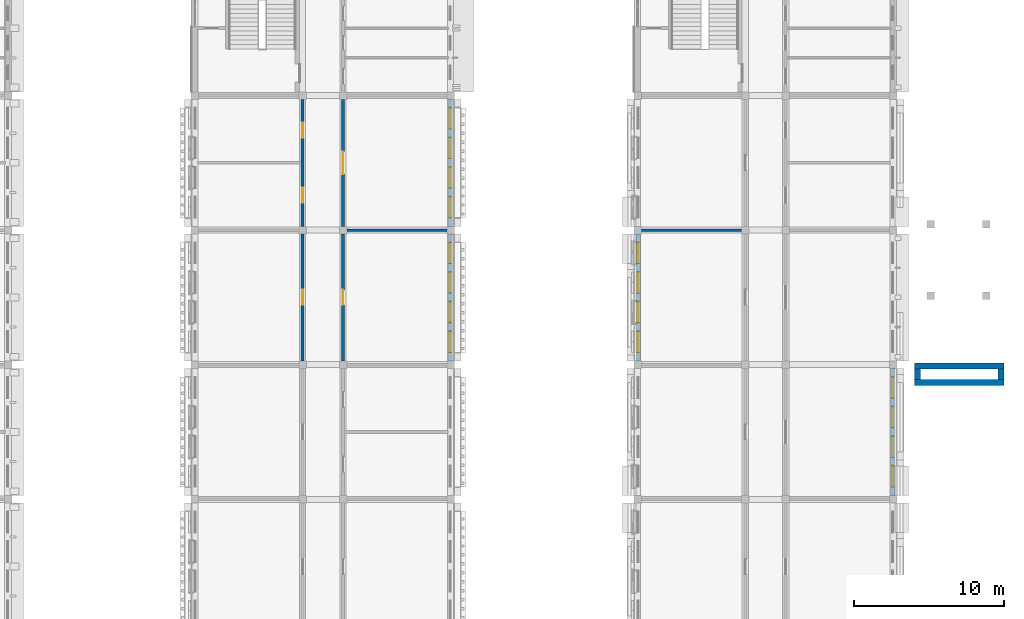
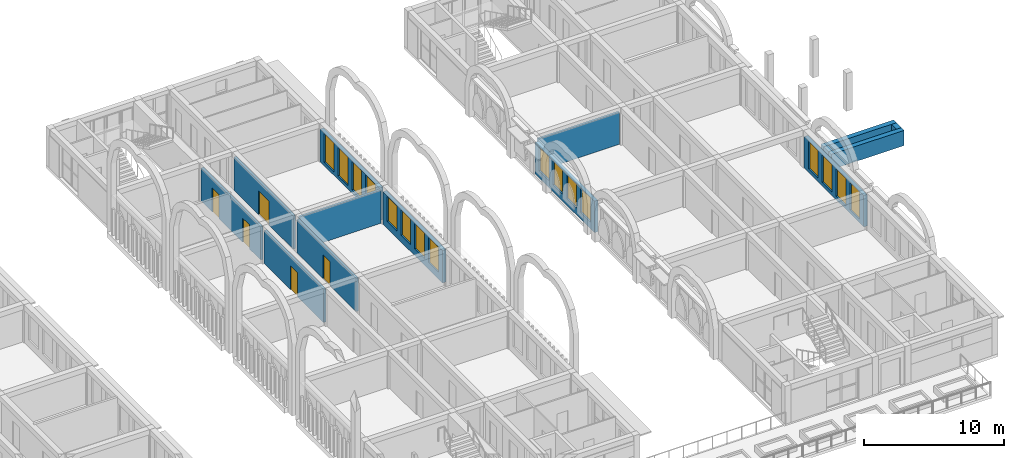
# One storey, part 57 of 82: 16 windows, 14 walls, 5 doors, 21 openings.
"""IFC4 building model written with IfcOpenShell, lengths in metres."""

from ifc_helpers import new_model, si_unit, direction, frame, frame_2d, origin, place, context, subcontext, project, spatial, rectangle, extrude, material, layer, layer_set, type_object, element, fill, save


model = new_model("IFC4")

# Units and contexts
model_context = context("Model", 3, precision=1e-05, world=origin(), true_north=direction((0.0, 1.0)))
body_context = subcontext(model_context, "Body", "Model", "MODEL_VIEW")
ifc_project = project(units=[si_unit("LENGTHUNIT", "METRE"), si_unit("AREAUNIT", "SQUARE_METRE"), si_unit("VOLUMEUNIT", "CUBIC_METRE"), si_unit("PLANEANGLEUNIT", "RADIAN"), si_unit("MASSUNIT", "GRAM", prefix="KILO")], contexts=[model_context])

# Site, building, storey
site_placement = place(None, origin())
site = spatial("IfcSite", under=ifc_project, at=site_placement, CompositionType="ELEMENT")
building_placement = place(site_placement, origin())
building = spatial("IfcBuilding", under=site, at=building_placement, Name="Elbe Cascade School", CompositionType="ELEMENT")
storey_placement = place(building_placement, frame((0.0, 0.0, 4.5)))
storey = spatial("IfcBuildingStorey", under=building, at=storey_placement, Name="L01", CompositionType="ELEMENT", Elevation=4.5)

# Walls
ifc_material_1 = material(Name="Masonry - lime-sand block, plastered", Category="masonry")
ifc_layer_1 = layer(ifc_material_1, 0.175048828125)
ifc_layer_set_1 = layer_set([ifc_layer_1], Name="Masonry - lime-sand block, plastered")
wall_type_1 = type_object("IfcWallType", Name="Bar classroom partition wall lime-sand block 175", PredefinedType="PARTITIONING", material=ifc_layer_set_1)
wall_1_placement = place(storey_placement, frame((138.35009765625, 42.0, 0.0), z_axis=(0.0, 0.0, 1.0), x_axis=(1.0, 0.0, 0.0)))
element("IfcWall", 1, at=wall_1_placement, inside=storey, type_object=wall_type_1, Name="Bar classroom partition wall lime-sand block 175", PredefinedType="PARTITIONING", context=body_context, shape_type="SweptSolid", body=[
    extrude(rectangle(XDim=6.699951171875, YDim=0.175048828125, at=frame_2d((3.35009765625, 0.0))), origin(), (0.0, 0.0, 1.0), 2.89990234375),
])
wall_2_placement = place(storey_placement, frame((158.050048828125, 42.0, 0.0), z_axis=(0.0, 0.0, 1.0), x_axis=(1.0, 0.0, 0.0)))
element("IfcWall", 2, at=wall_2_placement, inside=storey, type_object=wall_type_1, Name="Bar classroom partition wall lime-sand block 175", PredefinedType="PARTITIONING", context=body_context, shape_type="SweptSolid", body=[
    extrude(rectangle(XDim=6.699951171875, YDim=0.175048828125, at=frame_2d((3.35009765625, 0.0))), origin(), (0.0, 0.0, 1.0), 2.800048828125),
])

# Wall, opening, door
ifc_material_2 = material(Name="Masonry - lime-sand block, plastered", Category="masonry")
ifc_layer_2 = layer(ifc_material_2, 0.199951171875)
ifc_layer_set_2 = layer_set([ifc_layer_2], Name="Masonry - lime-sand block, plastered")
wall_type_2 = type_object("IfcWallType", Name="Bar corridor wall lime-sand block 200 EI 30", PredefinedType="PARTITIONING", material=ifc_layer_set_2)
wall_3_placement = place(storey_placement, frame((135.39990234375, 33.25, 0.0), z_axis=(0.0, 0.0, 1.0), x_axis=(0.0, 1.0, 0.0)))
wall_3 = element("IfcWall", 3, at=wall_3_placement, inside=storey, type_object=wall_type_2, Name="Bar corridor wall lime-sand block 200 EI 30", PredefinedType="PARTITIONING", context=body_context, shape_type="SweptSolid", body=[
    extrude(rectangle(XDim=8.5, YDim=0.199951171875, at=frame_2d((4.25, 0.0))), origin(), (0.0, 0.0, 1.0), 2.89990234375),
])
opening_1_placement = place(wall_3_placement, frame((3.75, 0.0, 0.0)))
opening_1 = element("IfcOpeningElement", 4, at=opening_1_placement, cuts=wall_3, Name="Opening D1.071", PredefinedType="OPENING", context=body_context, shape_type="SweptSolid", body=[
    extrude(rectangle(XDim=1.0, YDim=2.10009765625, at=frame_2d((0.5, 1.050048828125))), frame((0.0, 0.10986328125, 0.0), z_axis=(0.0, -1.0, 0.0), x_axis=(1.0, 0.0, 0.0)), (0.0, 0.0, 1.0), 0.219970703125),
])
ifc_material_3 = material(Name="Timber door leaf, fire-resisting, steel frame", Category="steel")
door_type_1 = type_object("IfcDoorType", Name="Bar door FD30 1000x2100", OperationType="NOTDEFINED", PredefinedType="DOOR", material=ifc_material_3)
door_1_placement = place(opening_1_placement, origin())
door_1 = element("IfcDoor", 5, at=door_1_placement, inside=storey, type_object=door_type_1, Name="Door C1.21", OperationType="SINGLE_SWING_RIGHT", OverallHeight=2.10009765625, OverallWidth=1.0, PredefinedType="DOOR", context=body_context, shape_type="SweptSolid", body=[
    extrude(rectangle(XDim=1.0, YDim=2.10009765625, at=frame_2d((0.5, 1.050048828125))), frame((0.0, 0.02490234375, 0.0), z_axis=(0.0, -1.0, 0.0), x_axis=(1.0, 0.0, 0.0)), (0.0, 0.0, 1.0), 0.050048828125),
])
fill(opening_1, door_1)

# Wall, openings, doors
wall_4_placement = place(storey_placement, frame((135.39990234375, 42.25, 0.0), z_axis=(0.0, 0.0, 1.0), x_axis=(0.0, 1.0, 0.0)))
wall_4 = element("IfcWall", 6, at=wall_4_placement, inside=storey, type_object=wall_type_2, Name="Bar corridor wall lime-sand block 200 EI 30", PredefinedType="PARTITIONING", context=body_context, shape_type="SweptSolid", body=[
    extrude(rectangle(XDim=8.5, YDim=0.199951171875, at=frame_2d((4.25, 0.0))), origin(), (0.0, 0.0, 1.0), 2.89990234375),
])
opening_2_placement = place(wall_4_placement, frame((1.581298828125, 0.0, 0.0)))
opening_2 = element("IfcOpeningElement", 7, at=opening_2_placement, cuts=wall_4, Name="Opening D1.073", PredefinedType="OPENING", context=body_context, shape_type="SweptSolid", body=[
    extrude(rectangle(XDim=1.0, YDim=2.10009765625, at=frame_2d((0.5, 1.050048828125))), frame((0.0, 0.10986328125, 0.0), z_axis=(0.0, -1.0, 0.0), x_axis=(1.0, 0.0, 0.0)), (0.0, 0.0, 1.0), 0.219970703125),
])
opening_3_placement = place(wall_4_placement, frame((5.918701171875, 0.0, 0.0)))
opening_3 = element("IfcOpeningElement", 8, at=opening_3_placement, cuts=wall_4, Name="Opening D1.075", PredefinedType="OPENING", context=body_context, shape_type="SweptSolid", body=[
    extrude(rectangle(XDim=1.0, YDim=2.10009765625, at=frame_2d((0.5, 1.050048828125))), frame((0.0, 0.10986328125, 0.0), z_axis=(0.0, -1.0, 0.0), x_axis=(1.0, 0.0, 0.0)), (0.0, 0.0, 1.0), 0.219970703125),
])
door_2_placement = place(opening_2_placement, origin())
door_2 = element("IfcDoor", 9, at=door_2_placement, inside=storey, type_object=door_type_1, Name="Door C1.22", OperationType="SINGLE_SWING_LEFT", OverallHeight=2.10009765625, OverallWidth=1.0, PredefinedType="DOOR", context=body_context, shape_type="SweptSolid", body=[
    extrude(rectangle(XDim=1.0, YDim=2.10009765625, at=frame_2d((0.5, 1.050048828125))), frame((0.0, 0.02490234375, 0.0), z_axis=(0.0, -1.0, 0.0), x_axis=(1.0, 0.0, 0.0)), (0.0, 0.0, 1.0), 0.050048828125),
])
fill(opening_2, door_2)
door_3_placement = place(opening_3_placement, origin())
door_3 = element("IfcDoor", 10, at=door_3_placement, inside=storey, type_object=door_type_1, Name="Door C1.23", OperationType="SINGLE_SWING_RIGHT", OverallHeight=2.10009765625, OverallWidth=1.0, PredefinedType="DOOR", context=body_context, shape_type="SweptSolid", body=[
    extrude(rectangle(XDim=1.0, YDim=2.10009765625, at=frame_2d((0.5, 1.050048828125))), frame((0.0, 0.02490234375, 0.0), z_axis=(0.0, -1.0, 0.0), x_axis=(1.0, 0.0, 0.0)), (0.0, 0.0, 1.0), 0.050048828125),
])
fill(opening_3, door_3)

# Wall, opening, door
wall_5_placement = place(storey_placement, frame((138.10009765625, 41.75, 0.0), z_axis=(0.0, 0.0, 1.0), x_axis=(0.0, -1.0, 0.0)))
wall_5 = element("IfcWall", 11, at=wall_5_placement, inside=storey, type_object=wall_type_2, Name="Bar corridor wall lime-sand block 200 EI 30", PredefinedType="PARTITIONING", context=body_context, shape_type="SweptSolid", body=[
    extrude(rectangle(XDim=8.5, YDim=0.199951171875, at=frame_2d((4.25, 0.0))), origin(), (0.0, 0.0, 1.0), 2.89990234375),
])
opening_4_placement = place(wall_5_placement, frame((3.75, 0.0, 0.0)))
opening_4 = element("IfcOpeningElement", 12, at=opening_4_placement, cuts=wall_5, Name="Opening D1.072", PredefinedType="OPENING", context=body_context, shape_type="SweptSolid", body=[
    extrude(rectangle(XDim=1.0, YDim=2.10009765625, at=frame_2d((0.5, 1.050048828125))), frame((0.0, 0.10986328125, 0.0), z_axis=(0.0, -1.0, 0.0), x_axis=(1.0, 0.0, 0.0)), (0.0, 0.0, 1.0), 0.219970703125),
])
door_4_placement = place(opening_4_placement, origin())
door_4 = element("IfcDoor", 13, at=door_4_placement, inside=storey, type_object=door_type_1, Name="Door C1.27", OperationType="SINGLE_SWING_RIGHT", OverallHeight=2.10009765625, OverallWidth=1.0, PredefinedType="DOOR", context=body_context, shape_type="SweptSolid", body=[
    extrude(rectangle(XDim=1.0, YDim=2.10009765625, at=frame_2d((0.5, 1.050048828125))), frame((0.0, 0.02490234375, 0.0), z_axis=(0.0, -1.0, 0.0), x_axis=(1.0, 0.0, 0.0)), (0.0, 0.0, 1.0), 0.050048828125),
])
fill(opening_4, door_4)

wall_6_placement = place(storey_placement, frame((138.10009765625, 50.75, 0.0), z_axis=(0.0, 0.0, 1.0), x_axis=(0.0, -1.0, 0.0)))
wall_6 = element("IfcWall", 14, at=wall_6_placement, inside=storey, type_object=wall_type_2, Name="Bar corridor wall lime-sand block 200 EI 30", PredefinedType="PARTITIONING", context=body_context, shape_type="SweptSolid", body=[
    extrude(rectangle(XDim=8.5, YDim=0.199951171875, at=frame_2d((4.25, 0.0))), origin(), (0.0, 0.0, 1.0), 2.89990234375),
])
opening_5_placement = place(wall_6_placement, frame((3.5, 0.0, 0.0)))
opening_5 = element("IfcOpeningElement", 15, at=opening_5_placement, cuts=wall_6, Name="Opening D1.074", PredefinedType="OPENING", context=body_context, shape_type="SweptSolid", body=[
    extrude(rectangle(XDim=1.5, YDim=2.10009765625, at=frame_2d((0.75, 1.050048828125))), frame((0.0, 0.10986328125, 0.0), z_axis=(0.0, -1.0, 0.0), x_axis=(1.0, 0.0, 0.0)), (0.0, 0.0, 1.0), 0.219970703125),
])
ifc_material_4 = material(Name="Timber door leaves, fire-resisting, steel frame", Category="steel")
door_type_2 = type_object("IfcDoorType", Name="Bar door FD30 1500x2100", OperationType="NOTDEFINED", PredefinedType="DOOR", material=ifc_material_4)
door_5_placement = place(opening_5_placement, origin())
door_5 = element("IfcDoor", 16, at=door_5_placement, inside=storey, type_object=door_type_2, Name="Door C1.28", OperationType="DOUBLE_DOOR_SINGLE_SWING", OverallHeight=2.10009765625, OverallWidth=1.5, PredefinedType="DOOR", context=body_context, shape_type="SweptSolid", body=[
    extrude(rectangle(XDim=1.5, YDim=2.10009765625, at=frame_2d((0.75, 1.050048828125))), frame((0.0, 0.02490234375, 0.0), z_axis=(0.0, -1.0, 0.0), x_axis=(1.0, 0.0, 0.0)), (0.0, 0.0, 1.0), 0.050048828125),
])
fill(opening_5, door_5)

# Wall, openings, windows
ifc_material_5 = material(Name="Brick masonry - red clinker, cavity wall with render backing", Category="masonry")
ifc_layer_3 = layer(ifc_material_5, 0.300048828125)
ifc_layer_set_3 = layer_set([ifc_layer_3], Name="Brick masonry - red clinker, cavity wall with render backing")
wall_type_3 = type_object("IfcWallType", Name="Bars envelope External wall - clinker brick cavity, 300 upper floors", PredefinedType="STANDARD", material=ifc_layer_set_3)
wall_7_placement = place(storey_placement, frame((145.27001953125, 41.75, 0.0), z_axis=(0.0, 0.0, 1.0), x_axis=(0.0, -1.0, 0.0)))
wall_7 = element("IfcWall", 17, at=wall_7_placement, inside=storey, type_object=wall_type_3, Name="External wall W30 C.L01.e4", PredefinedType="STANDARD", context=body_context, shape_type="SweptSolid", body=[
    extrude(rectangle(XDim=8.5, YDim=0.300048828125, at=frame_2d((4.25, 0.0))), origin(), (0.0, 0.0, 1.0), 2.85009765625),
])
opening_6_placement = place(wall_7_placement, frame((6.52001953125, 0.0, 0.60009765625)))
opening_6 = element("IfcOpeningElement", 18, at=opening_6_placement, cuts=wall_7, Name="Opening W1.083", PredefinedType="OPENING", context=body_context, shape_type="SweptSolid", body=[
    extrude(rectangle(XDim=1.39990234375, YDim=2.199951171875, at=frame_2d((0.699951171875, 1.10009765625))), frame((0.0, 0.159912109375, 0.0), z_axis=(0.0, -1.0, 0.0), x_axis=(1.0, 0.0, 0.0)), (0.0, 0.0, 1.0), 0.320068359375),
])
opening_7_placement = place(wall_7_placement, frame((4.5400390625, 0.0, 0.60009765625)))
opening_7 = element("IfcOpeningElement", 19, at=opening_7_placement, cuts=wall_7, Name="Opening W1.085", PredefinedType="OPENING", context=body_context, shape_type="SweptSolid", body=[
    extrude(rectangle(XDim=1.39990234375, YDim=2.199951171875, at=frame_2d((0.699951171875, 1.10009765625))), frame((0.0, 0.159912109375, 0.0), z_axis=(0.0, -1.0, 0.0), x_axis=(1.0, 0.0, 0.0)), (0.0, 0.0, 1.0), 0.320068359375),
])
opening_8_placement = place(wall_7_placement, frame((2.56005859375, 0.0, 0.60009765625)))
opening_8 = element("IfcOpeningElement", 20, at=opening_8_placement, cuts=wall_7, Name="Opening W1.087", PredefinedType="OPENING", context=body_context, shape_type="SweptSolid", body=[
    extrude(rectangle(XDim=1.39990234375, YDim=2.199951171875, at=frame_2d((0.699951171875, 1.10009765625))), frame((0.0, 0.159912109375, 0.0), z_axis=(0.0, -1.0, 0.0), x_axis=(1.0, 0.0, 0.0)), (0.0, 0.0, 1.0), 0.320068359375),
])
opening_9_placement = place(wall_7_placement, frame((0.580078125, 0.0, 0.60009765625)))
opening_9 = element("IfcOpeningElement", 21, at=opening_9_placement, cuts=wall_7, Name="Opening W1.089", PredefinedType="OPENING", context=body_context, shape_type="SweptSolid", body=[
    extrude(rectangle(XDim=1.39990234375, YDim=2.199951171875, at=frame_2d((0.699951171875, 1.10009765625))), frame((0.0, 0.159912109375, 0.0), z_axis=(0.0, -1.0, 0.0), x_axis=(1.0, 0.0, 0.0)), (0.0, 0.0, 1.0), 0.320068359375),
])
ifc_material_6 = material(Name="Aluminium frame with double glazing, bronze anodised", Category="aluminium")
window_type_1 = type_object("IfcWindowType", Name="Bars envelope Window 1400 x 2200, classroom, aluminium double glazed", PartitioningType="DOUBLE_PANEL_VERTICAL", PredefinedType="WINDOW", material=ifc_material_6)
window_1_placement = place(opening_6_placement, origin())
window_1 = element("IfcWindow", 22, at=window_1_placement, inside=storey, type_object=window_type_1, Name="Window WN7 C.L01.e4.1", OverallHeight=2.199951171875, OverallWidth=1.39990234375, PartitioningType="DOUBLE_PANEL_VERTICAL", PredefinedType="WINDOW", context=body_context, shape_type="SweptSolid", body=[
    extrude(rectangle(XDim=1.39990234375, YDim=2.199951171875, at=frame_2d((0.699951171875, 1.10009765625))), frame((0.0, 0.030029296875, 0.0), z_axis=(0.0, -1.0, 0.0), x_axis=(1.0, 0.0, 0.0)), (0.0, 0.0, 1.0), 0.06005859375),
])
fill(opening_6, window_1)
window_2_placement = place(opening_7_placement, origin())
window_2 = element("IfcWindow", 23, at=window_2_placement, inside=storey, type_object=window_type_1, Name="Window WN7 C.L01.e4.2", OverallHeight=2.199951171875, OverallWidth=1.39990234375, PartitioningType="DOUBLE_PANEL_VERTICAL", PredefinedType="WINDOW", context=body_context, shape_type="SweptSolid", body=[
    extrude(rectangle(XDim=1.39990234375, YDim=2.199951171875, at=frame_2d((0.699951171875, 1.10009765625))), frame((0.0, 0.030029296875, 0.0), z_axis=(0.0, -1.0, 0.0), x_axis=(1.0, 0.0, 0.0)), (0.0, 0.0, 1.0), 0.06005859375),
])
fill(opening_7, window_2)
window_3_placement = place(opening_8_placement, origin())
window_3 = element("IfcWindow", 24, at=window_3_placement, inside=storey, type_object=window_type_1, Name="Window WN7 C.L01.e4.3", OverallHeight=2.199951171875, OverallWidth=1.39990234375, PartitioningType="DOUBLE_PANEL_VERTICAL", PredefinedType="WINDOW", context=body_context, shape_type="SweptSolid", body=[
    extrude(rectangle(XDim=1.39990234375, YDim=2.199951171875, at=frame_2d((0.699951171875, 1.10009765625))), frame((0.0, 0.030029296875, 0.0), z_axis=(0.0, -1.0, 0.0), x_axis=(1.0, 0.0, 0.0)), (0.0, 0.0, 1.0), 0.06005859375),
])
fill(opening_8, window_3)
window_4_placement = place(opening_9_placement, origin())
window_4 = element("IfcWindow", 25, at=window_4_placement, inside=storey, type_object=window_type_1, Name="Window WN7 C.L01.e4.4", OverallHeight=2.199951171875, OverallWidth=1.39990234375, PartitioningType="DOUBLE_PANEL_VERTICAL", PredefinedType="WINDOW", context=body_context, shape_type="SweptSolid", body=[
    extrude(rectangle(XDim=1.39990234375, YDim=2.199951171875, at=frame_2d((0.699951171875, 1.10009765625))), frame((0.0, 0.030029296875, 0.0), z_axis=(0.0, -1.0, 0.0), x_axis=(1.0, 0.0, 0.0)), (0.0, 0.0, 1.0), 0.06005859375),
])
fill(opening_9, window_4)

wall_8_placement = place(storey_placement, frame((145.27001953125, 50.75, 0.0), z_axis=(0.0, 0.0, 1.0), x_axis=(0.0, -1.0, 0.0)))
wall_8 = element("IfcWall", 26, at=wall_8_placement, inside=storey, type_object=wall_type_3, Name="External wall W30 C.L01.e5", PredefinedType="STANDARD", context=body_context, shape_type="SweptSolid", body=[
    extrude(rectangle(XDim=8.5, YDim=0.300048828125, at=frame_2d((4.25, 0.0))), origin(), (0.0, 0.0, 1.0), 2.85009765625),
])
opening_10_placement = place(wall_8_placement, frame((6.52001953125, 0.0, 0.300048828125)))
opening_10 = element("IfcOpeningElement", 27, at=opening_10_placement, cuts=wall_8, Name="Opening W1.091", PredefinedType="OPENING", context=body_context, shape_type="SweptSolid", body=[
    extrude(rectangle(XDim=1.39990234375, YDim=2.5, at=frame_2d((0.699951171875, 1.25))), frame((0.0, 0.159912109375, 0.0), z_axis=(0.0, -1.0, 0.0), x_axis=(1.0, 0.0, 0.0)), (0.0, 0.0, 1.0), 0.320068359375),
])
opening_11_placement = place(wall_8_placement, frame((4.5400390625, 0.0, 0.300048828125)))
opening_11 = element("IfcOpeningElement", 28, at=opening_11_placement, cuts=wall_8, Name="Opening W1.093", PredefinedType="OPENING", context=body_context, shape_type="SweptSolid", body=[
    extrude(rectangle(XDim=1.39990234375, YDim=2.5, at=frame_2d((0.699951171875, 1.25))), frame((0.0, 0.159912109375, 0.0), z_axis=(0.0, -1.0, 0.0), x_axis=(1.0, 0.0, 0.0)), (0.0, 0.0, 1.0), 0.320068359375),
])
opening_12_placement = place(wall_8_placement, frame((2.56005859375, 0.0, 0.300048828125)))
opening_12 = element("IfcOpeningElement", 29, at=opening_12_placement, cuts=wall_8, Name="Opening W1.095", PredefinedType="OPENING", context=body_context, shape_type="SweptSolid", body=[
    extrude(rectangle(XDim=1.39990234375, YDim=2.5, at=frame_2d((0.699951171875, 1.25))), frame((0.0, 0.159912109375, 0.0), z_axis=(0.0, -1.0, 0.0), x_axis=(1.0, 0.0, 0.0)), (0.0, 0.0, 1.0), 0.320068359375),
])
opening_13_placement = place(wall_8_placement, frame((0.580078125, 0.0, 0.300048828125)))
opening_13 = element("IfcOpeningElement", 30, at=opening_13_placement, cuts=wall_8, Name="Opening W1.097", PredefinedType="OPENING", context=body_context, shape_type="SweptSolid", body=[
    extrude(rectangle(XDim=1.39990234375, YDim=2.5, at=frame_2d((0.699951171875, 1.25))), frame((0.0, 0.159912109375, 0.0), z_axis=(0.0, -1.0, 0.0), x_axis=(1.0, 0.0, 0.0)), (0.0, 0.0, 1.0), 0.320068359375),
])
ifc_material_7 = material(Name="Aluminium frame with double glazing, bronze anodised", Category="aluminium")
window_type_2 = type_object("IfcWindowType", Name="Bars envelope Window 1400 x 2500, library reading, tall, aluminium double glazed", PartitioningType="DOUBLE_PANEL_VERTICAL", PredefinedType="WINDOW", material=ifc_material_7)
window_5_placement = place(opening_10_placement, origin())
window_5 = element("IfcWindow", 31, at=window_5_placement, inside=storey, type_object=window_type_2, Name="Window WN5 C.L01.e5.1", OverallHeight=2.5, OverallWidth=1.39990234375, PartitioningType="DOUBLE_PANEL_VERTICAL", PredefinedType="WINDOW", context=body_context, shape_type="SweptSolid", body=[
    extrude(rectangle(XDim=1.39990234375, YDim=2.5, at=frame_2d((0.699951171875, 1.25))), frame((0.0, 0.030029296875, 0.0), z_axis=(0.0, -1.0, 0.0), x_axis=(1.0, 0.0, 0.0)), (0.0, 0.0, 1.0), 0.06005859375),
])
fill(opening_10, window_5)
window_6_placement = place(opening_11_placement, origin())
window_6 = element("IfcWindow", 32, at=window_6_placement, inside=storey, type_object=window_type_2, Name="Window WN5 C.L01.e5.2", OverallHeight=2.5, OverallWidth=1.39990234375, PartitioningType="DOUBLE_PANEL_VERTICAL", PredefinedType="WINDOW", context=body_context, shape_type="SweptSolid", body=[
    extrude(rectangle(XDim=1.39990234375, YDim=2.5, at=frame_2d((0.699951171875, 1.25))), frame((0.0, 0.030029296875, 0.0), z_axis=(0.0, -1.0, 0.0), x_axis=(1.0, 0.0, 0.0)), (0.0, 0.0, 1.0), 0.06005859375),
])
fill(opening_11, window_6)
window_7_placement = place(opening_12_placement, origin())
window_7 = element("IfcWindow", 33, at=window_7_placement, inside=storey, type_object=window_type_2, Name="Window WN5 C.L01.e5.3", OverallHeight=2.5, OverallWidth=1.39990234375, PartitioningType="DOUBLE_PANEL_VERTICAL", PredefinedType="WINDOW", context=body_context, shape_type="SweptSolid", body=[
    extrude(rectangle(XDim=1.39990234375, YDim=2.5, at=frame_2d((0.699951171875, 1.25))), frame((0.0, 0.030029296875, 0.0), z_axis=(0.0, -1.0, 0.0), x_axis=(1.0, 0.0, 0.0)), (0.0, 0.0, 1.0), 0.06005859375),
])
fill(opening_12, window_7)
window_8_placement = place(opening_13_placement, origin())
window_8 = element("IfcWindow", 34, at=window_8_placement, inside=storey, type_object=window_type_2, Name="Window WN5 C.L01.e5.4", OverallHeight=2.5, OverallWidth=1.39990234375, PartitioningType="DOUBLE_PANEL_VERTICAL", PredefinedType="WINDOW", context=body_context, shape_type="SweptSolid", body=[
    extrude(rectangle(XDim=1.39990234375, YDim=2.5, at=frame_2d((0.699951171875, 1.25))), frame((0.0, 0.030029296875, 0.0), z_axis=(0.0, -1.0, 0.0), x_axis=(1.0, 0.0, 0.0)), (0.0, 0.0, 1.0), 0.06005859375),
])
fill(opening_13, window_8)

wall_9_placement = place(storey_placement, frame((157.830078125, 33.25, 0.0), z_axis=(0.0, 0.0, 1.0), x_axis=(0.0, 1.0, 0.0)))
wall_9 = element("IfcWall", 35, at=wall_9_placement, inside=storey, type_object=wall_type_3, Name="External wall W30 D.L01.w4", PredefinedType="STANDARD", context=body_context, shape_type="SweptSolid", body=[
    extrude(rectangle(XDim=8.5, YDim=0.300048828125, at=frame_2d((4.25, 0.0))), origin(), (0.0, 0.0, 1.0), 2.75),
])
opening_14_placement = place(wall_9_placement, frame((0.580078125, 0.0, 0.60009765625)))
opening_14 = element("IfcOpeningElement", 36, at=opening_14_placement, cuts=wall_9, Name="Opening W1.122", PredefinedType="OPENING", context=body_context, shape_type="SweptSolid", body=[
    extrude(rectangle(XDim=1.39990234375, YDim=2.10009765625, at=frame_2d((0.699951171875, 1.050048828125))), frame((0.0, 0.159912109375, 0.0), z_axis=(0.0, -1.0, 0.0), x_axis=(1.0, 0.0, 0.0)), (0.0, 0.0, 1.0), 0.320068359375),
])
opening_15_placement = place(wall_9_placement, frame((2.56005859375, 0.0, 0.60009765625)))
opening_15 = element("IfcOpeningElement", 37, at=opening_15_placement, cuts=wall_9, Name="Opening W1.124", PredefinedType="OPENING", context=body_context, shape_type="SweptSolid", body=[
    extrude(rectangle(XDim=1.39990234375, YDim=2.10009765625, at=frame_2d((0.699951171875, 1.050048828125))), frame((0.0, 0.159912109375, 0.0), z_axis=(0.0, -1.0, 0.0), x_axis=(1.0, 0.0, 0.0)), (0.0, 0.0, 1.0), 0.320068359375),
])
opening_16_placement = place(wall_9_placement, frame((4.5400390625, 0.0, 0.60009765625)))
opening_16 = element("IfcOpeningElement", 38, at=opening_16_placement, cuts=wall_9, Name="Opening W1.126", PredefinedType="OPENING", context=body_context, shape_type="SweptSolid", body=[
    extrude(rectangle(XDim=1.39990234375, YDim=2.10009765625, at=frame_2d((0.699951171875, 1.050048828125))), frame((0.0, 0.159912109375, 0.0), z_axis=(0.0, -1.0, 0.0), x_axis=(1.0, 0.0, 0.0)), (0.0, 0.0, 1.0), 0.320068359375),
])
opening_17_placement = place(wall_9_placement, frame((6.52001953125, 0.0, 0.60009765625)))
opening_17 = element("IfcOpeningElement", 39, at=opening_17_placement, cuts=wall_9, Name="Opening W1.128", PredefinedType="OPENING", context=body_context, shape_type="SweptSolid", body=[
    extrude(rectangle(XDim=1.39990234375, YDim=2.10009765625, at=frame_2d((0.699951171875, 1.050048828125))), frame((0.0, 0.159912109375, 0.0), z_axis=(0.0, -1.0, 0.0), x_axis=(1.0, 0.0, 0.0)), (0.0, 0.0, 1.0), 0.320068359375),
])
ifc_material_8 = material(Name="Aluminium frame with double glazing, bronze anodised", Category="aluminium")
window_type_3 = type_object("IfcWindowType", Name="Bars envelope Window 1400 x 2100, classroom, aluminium double glazed", PartitioningType="DOUBLE_PANEL_VERTICAL", PredefinedType="WINDOW", material=ifc_material_8)
window_9_placement = place(opening_14_placement, origin())
window_9 = element("IfcWindow", 40, at=window_9_placement, inside=storey, type_object=window_type_3, Name="Window WN8 D.L01.w4.1", OverallHeight=2.10009765625, OverallWidth=1.39990234375, PartitioningType="DOUBLE_PANEL_VERTICAL", PredefinedType="WINDOW", context=body_context, shape_type="SweptSolid", body=[
    extrude(rectangle(XDim=1.39990234375, YDim=2.10009765625, at=frame_2d((0.699951171875, 1.050048828125))), frame((0.0, 0.030029296875, 0.0), z_axis=(0.0, -1.0, 0.0), x_axis=(1.0, 0.0, 0.0)), (0.0, 0.0, 1.0), 0.06005859375),
])
fill(opening_14, window_9)
window_10_placement = place(opening_15_placement, origin())
window_10 = element("IfcWindow", 41, at=window_10_placement, inside=storey, type_object=window_type_3, Name="Window WN8 D.L01.w4.2", OverallHeight=2.10009765625, OverallWidth=1.39990234375, PartitioningType="DOUBLE_PANEL_VERTICAL", PredefinedType="WINDOW", context=body_context, shape_type="SweptSolid", body=[
    extrude(rectangle(XDim=1.39990234375, YDim=2.10009765625, at=frame_2d((0.699951171875, 1.050048828125))), frame((0.0, 0.030029296875, 0.0), z_axis=(0.0, -1.0, 0.0), x_axis=(1.0, 0.0, 0.0)), (0.0, 0.0, 1.0), 0.06005859375),
])
fill(opening_15, window_10)
window_11_placement = place(opening_16_placement, origin())
window_11 = element("IfcWindow", 42, at=window_11_placement, inside=storey, type_object=window_type_3, Name="Window WN8 D.L01.w4.3", OverallHeight=2.10009765625, OverallWidth=1.39990234375, PartitioningType="DOUBLE_PANEL_VERTICAL", PredefinedType="WINDOW", context=body_context, shape_type="SweptSolid", body=[
    extrude(rectangle(XDim=1.39990234375, YDim=2.10009765625, at=frame_2d((0.699951171875, 1.050048828125))), frame((0.0, 0.030029296875, 0.0), z_axis=(0.0, -1.0, 0.0), x_axis=(1.0, 0.0, 0.0)), (0.0, 0.0, 1.0), 0.06005859375),
])
fill(opening_16, window_11)
window_12_placement = place(opening_17_placement, origin())
window_12 = element("IfcWindow", 43, at=window_12_placement, inside=storey, type_object=window_type_3, Name="Window WN8 D.L01.w4.4", OverallHeight=2.10009765625, OverallWidth=1.39990234375, PartitioningType="DOUBLE_PANEL_VERTICAL", PredefinedType="WINDOW", context=body_context, shape_type="SweptSolid", body=[
    extrude(rectangle(XDim=1.39990234375, YDim=2.10009765625, at=frame_2d((0.699951171875, 1.050048828125))), frame((0.0, 0.030029296875, 0.0), z_axis=(0.0, -1.0, 0.0), x_axis=(1.0, 0.0, 0.0)), (0.0, 0.0, 1.0), 0.06005859375),
])
fill(opening_17, window_12)

wall_10_placement = place(storey_placement, frame((174.8701171875, 32.75, 0.0), z_axis=(0.0, 0.0, 1.0), x_axis=(0.0, -1.0, 0.0)))
wall_10 = element("IfcWall", 44, at=wall_10_placement, inside=storey, type_object=wall_type_3, Name="External wall W30 D.L01.e3", PredefinedType="STANDARD", context=body_context, shape_type="SweptSolid", body=[
    extrude(rectangle(XDim=8.5, YDim=0.300048828125, at=frame_2d((4.25, 0.0))), origin(), (0.0, 0.0, 1.0), 2.75),
])
opening_18_placement = place(wall_10_placement, frame((6.52001953125, 0.0, 0.300048828125)))
opening_18 = element("IfcOpeningElement", 45, at=opening_18_placement, cuts=wall_10, Name="Opening W1.115", PredefinedType="OPENING", context=body_context, shape_type="SweptSolid", body=[
    extrude(rectangle(XDim=1.39990234375, YDim=2.39990234375, at=frame_2d((0.699951171875, 1.199951171875))), frame((0.0, 0.159912109375, 0.0), z_axis=(0.0, -1.0, 0.0), x_axis=(1.0, 0.0, 0.0)), (0.0, 0.0, 1.0), 0.320068359375),
])
opening_19_placement = place(wall_10_placement, frame((4.5400390625, 0.0, 0.300048828125)))
opening_19 = element("IfcOpeningElement", 46, at=opening_19_placement, cuts=wall_10, Name="Opening W1.117", PredefinedType="OPENING", context=body_context, shape_type="SweptSolid", body=[
    extrude(rectangle(XDim=1.39990234375, YDim=2.39990234375, at=frame_2d((0.699951171875, 1.199951171875))), frame((0.0, 0.159912109375, 0.0), z_axis=(0.0, -1.0, 0.0), x_axis=(1.0, 0.0, 0.0)), (0.0, 0.0, 1.0), 0.320068359375),
])
opening_20_placement = place(wall_10_placement, frame((2.56005859375, 0.0, 0.300048828125)))
opening_20 = element("IfcOpeningElement", 47, at=opening_20_placement, cuts=wall_10, Name="Opening W1.119", PredefinedType="OPENING", context=body_context, shape_type="SweptSolid", body=[
    extrude(rectangle(XDim=1.39990234375, YDim=2.39990234375, at=frame_2d((0.699951171875, 1.199951171875))), frame((0.0, 0.159912109375, 0.0), z_axis=(0.0, -1.0, 0.0), x_axis=(1.0, 0.0, 0.0)), (0.0, 0.0, 1.0), 0.320068359375),
])
opening_21_placement = place(wall_10_placement, frame((0.580078125, 0.0, 0.300048828125)))
opening_21 = element("IfcOpeningElement", 48, at=opening_21_placement, cuts=wall_10, Name="Opening W1.121", PredefinedType="OPENING", context=body_context, shape_type="SweptSolid", body=[
    extrude(rectangle(XDim=1.39990234375, YDim=2.39990234375, at=frame_2d((0.699951171875, 1.199951171875))), frame((0.0, 0.159912109375, 0.0), z_axis=(0.0, -1.0, 0.0), x_axis=(1.0, 0.0, 0.0)), (0.0, 0.0, 1.0), 0.320068359375),
])
ifc_material_9 = material(Name="Aluminium frame with double glazing, bronze anodised", Category="aluminium")
window_type_4 = type_object("IfcWindowType", Name="Bars envelope Window 1400 x 2400, library reading, tall, aluminium double glazed", PartitioningType="DOUBLE_PANEL_VERTICAL", PredefinedType="WINDOW", material=ifc_material_9)
window_13_placement = place(opening_18_placement, origin())
window_13 = element("IfcWindow", 49, at=window_13_placement, inside=storey, type_object=window_type_4, Name="Window WN13 D.L01.e3.1", OverallHeight=2.39990234375, OverallWidth=1.39990234375, PartitioningType="DOUBLE_PANEL_VERTICAL", PredefinedType="WINDOW", context=body_context, shape_type="SweptSolid", body=[
    extrude(rectangle(XDim=1.39990234375, YDim=2.39990234375, at=frame_2d((0.699951171875, 1.199951171875))), frame((0.0, 0.030029296875, 0.0), z_axis=(0.0, -1.0, 0.0), x_axis=(1.0, 0.0, 0.0)), (0.0, 0.0, 1.0), 0.06005859375),
])
fill(opening_18, window_13)
window_14_placement = place(opening_19_placement, origin())
window_14 = element("IfcWindow", 50, at=window_14_placement, inside=storey, type_object=window_type_4, Name="Window WN13 D.L01.e3.2", OverallHeight=2.39990234375, OverallWidth=1.39990234375, PartitioningType="DOUBLE_PANEL_VERTICAL", PredefinedType="WINDOW", context=body_context, shape_type="SweptSolid", body=[
    extrude(rectangle(XDim=1.39990234375, YDim=2.39990234375, at=frame_2d((0.699951171875, 1.199951171875))), frame((0.0, 0.030029296875, 0.0), z_axis=(0.0, -1.0, 0.0), x_axis=(1.0, 0.0, 0.0)), (0.0, 0.0, 1.0), 0.06005859375),
])
fill(opening_19, window_14)
window_15_placement = place(opening_20_placement, origin())
window_15 = element("IfcWindow", 51, at=window_15_placement, inside=storey, type_object=window_type_4, Name="Window WN13 D.L01.e3.3", OverallHeight=2.39990234375, OverallWidth=1.39990234375, PartitioningType="DOUBLE_PANEL_VERTICAL", PredefinedType="WINDOW", context=body_context, shape_type="SweptSolid", body=[
    extrude(rectangle(XDim=1.39990234375, YDim=2.39990234375, at=frame_2d((0.699951171875, 1.199951171875))), frame((0.0, 0.030029296875, 0.0), z_axis=(0.0, -1.0, 0.0), x_axis=(1.0, 0.0, 0.0)), (0.0, 0.0, 1.0), 0.06005859375),
])
fill(opening_20, window_15)
window_16_placement = place(opening_21_placement, origin())
window_16 = element("IfcWindow", 52, at=window_16_placement, inside=storey, type_object=window_type_4, Name="Window WN13 D.L01.e3.4", OverallHeight=2.39990234375, OverallWidth=1.39990234375, PartitioningType="DOUBLE_PANEL_VERTICAL", PredefinedType="WINDOW", context=body_context, shape_type="SweptSolid", body=[
    extrude(rectangle(XDim=1.39990234375, YDim=2.39990234375, at=frame_2d((0.699951171875, 1.199951171875))), frame((0.0, 0.030029296875, 0.0), z_axis=(0.0, -1.0, 0.0), x_axis=(1.0, 0.0, 0.0)), (0.0, 0.0, 1.0), 0.06005859375),
])
fill(opening_21, window_16)

# Walls
ifc_material_10 = material(Name="Concrete C30/37", Category="concrete")
ifc_layer_4 = layer(ifc_material_10, 0.39990234375)
ifc_layer_set_4 = layer_set([ifc_layer_4], Name="Concrete C30/37")
wall_type_4 = type_object("IfcWallType", Name="Cascade landing wall RC 400", PredefinedType="SHEAR", material=ifc_layer_set_4)
for number, where, z_axis, x_axis, name in (
    (53, (176.300048828125, 31.800048828125, 0.0), (0.0, 0.0, 1.0), (1.0, 0.0, 0.0), "Cascade steps landing 3 wall s"),
    (54, (176.300048828125, 32.89990234375, 0.0), (0.0, 0.0, 1.0), (1.0, 0.0, 0.0), "Cascade steps landing 3 wall n"),
):
    element("IfcWall", number, at=place(storey_placement, frame(where, z_axis=z_axis, x_axis=x_axis)), inside=storey, type_object=wall_type_4, Name=name, PredefinedType="SHEAR", context=body_context, shape_type="SweptSolid", body=[
        extrude(rectangle(XDim=6.0, YDim=0.39990234375, at=frame_2d((3.0, 0.0))), origin(), (0.0, 0.0, 1.0), 1.32763671875),
    ])
for number, where, z_axis, x_axis, name in (
    (55, (176.5, 32.0, 0.0), (0.0, 0.0, 1.0), (0.0, 1.0, 0.0), "Cascade steps landing 3 wall w"),
    (56, (182.10009765625, 32.0, 0.0), (0.0, 0.0, 1.0), (0.0, 1.0, 0.0), "Cascade steps landing 3 wall e"),
):
    element("IfcWall", number, at=place(storey_placement, frame(where, z_axis=z_axis, x_axis=x_axis)), inside=storey, type_object=wall_type_4, Name=name, PredefinedType="SHEAR", context=body_context, shape_type="SweptSolid", body=[
        extrude(rectangle(XDim=0.699951171875, YDim=0.39990234375, at=frame_2d((0.35009765625, 0.0))), origin(), (0.0, 0.0, 1.0), 1.32763671875),
    ])

save(model, "model.ifc")
